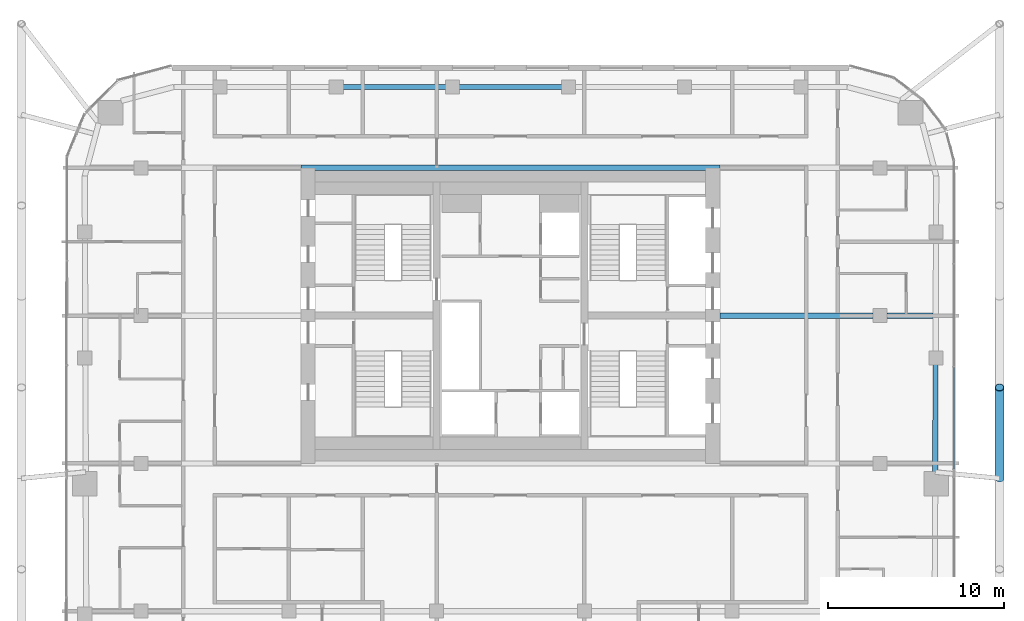
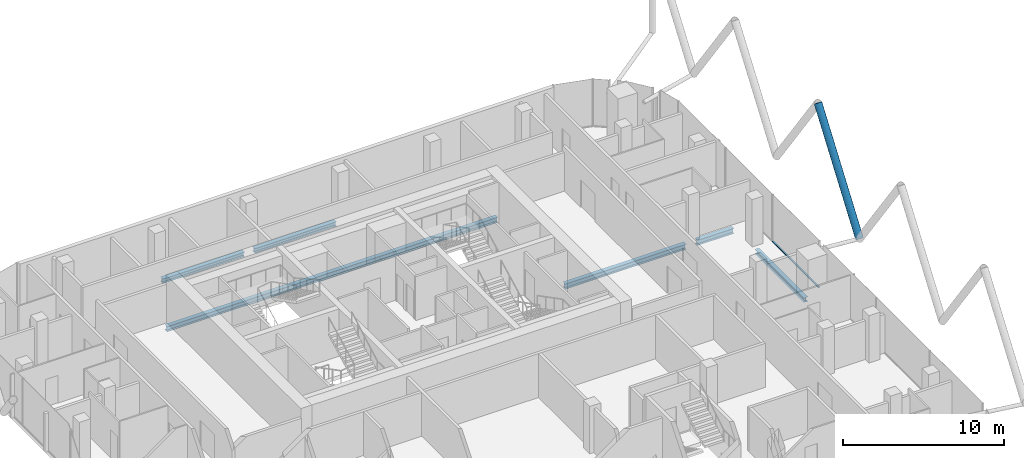
# One storey, part 9 of 31: 6 beams, 2 members, 1 element without a shape of its own.
"""IFC4 building model written with IfcOpenShell, lengths in metres."""

from ifc_helpers import new_model, si_unit, direction, frame, origin, origin_2d, place, context, subcontext, project, spatial, rectangle, hollow_circle, i_section, extrude, material, layer, layer_set, material_profile, profile_set, type_object, element, aggregate, save


model = new_model("IFC4")

# Units and contexts
model_context = context("Model", 3, precision=1e-05, world=origin(), true_north=direction((0.0, 1.0)))
body_context = subcontext(model_context, "Body", "Model", "MODEL_VIEW")
ifc_project = project(units=[si_unit("LENGTHUNIT", "METRE"), si_unit("AREAUNIT", "SQUARE_METRE"), si_unit("VOLUMEUNIT", "CUBIC_METRE"), si_unit("PLANEANGLEUNIT", "RADIAN"), si_unit("MASSUNIT", "GRAM", prefix="KILO")], contexts=[model_context])

# Site, building, storey
site_placement = place(None, origin())
site = spatial("IfcSite", under=ifc_project, at=site_placement, CompositionType="ELEMENT")
building_placement = place(site_placement, origin())
building = spatial("IfcBuilding", under=site, at=building_placement, Name="Marenta Gate Hotel Tower", CompositionType="ELEMENT")
storey_placement = place(building_placement, frame((0.0, 0.0, 205.699951171875)))
storey = spatial("IfcBuildingStorey", under=building, at=storey_placement, Name="L47", CompositionType="ELEMENT", Elevation=205.699951171875)

# Member
ifc_material_1 = material(Name="Steel S355J2W", Category="steel")
ifc_material_profile_1 = material_profile(ifc_material_1, hollow_circle(Radius=0.25390625, WallThickness=0.02490234375, at=origin_2d()), Name="CHS 508x25")
ifc_profile_set_1 = profile_set([ifc_material_profile_1], Name="Steel S355J2W")
member_type_1 = type_object("IfcMemberType", Name="Diagrid diagonal Z3 CHS 508x25", PredefinedType="BRACE", material=ifc_profile_set_1)
member_1_placement = place(storey_placement, frame((27.800048828125, -0.85009765625, 3.14013671875), z_axis=(0.0, 0.583260841117, 0.812284919975), x_axis=(-1.0, 0.0, 0.0)))
element("IfcMember", 1, at=member_1_placement, inside=storey, type_object=member_type_1, Name="L47-DG-5", PredefinedType="BRACE", context=body_context, shape_type="SweptSolid", body=[
    extrude(hollow_circle(Radius=0.25390625, WallThickness=0.02490234375, at=origin_2d()), origin(), (0.0, 0.0, 1.0), 8.86376953125),
])

# Beams
ifc_material_2 = material(Name="Steel S355", Category="steel")
ifc_material_profile_2 = material_profile(ifc_material_2, i_section(OverallWidth=0.300048828125, OverallDepth=0.340087890625, WebThickness=0.011962890625, FlangeThickness=0.021484375, FilletRadius=0.027099609375, at=origin_2d()), Name="HEB 340")
ifc_profile_set_2 = profile_set([ifc_material_profile_2], Name="Steel S355")
beam_type_1 = type_object("IfcBeamType", Name="Edge beam HEB 340", PredefinedType="SPANDREL", material=ifc_profile_set_2)
for number, where, z_axis, x_axis, name in (
    (2, (-9.544189453125, 21.39990234375, -0.429931640625), (1.0, 0.0, 0.0), (0.0, 1.0, 0.0), "L47-EB-15"),
    (3, (-2.94140625, 21.39990234375, -0.429931640625), (1.0, 0.0, 0.0), (0.0, 1.0, 0.0), "L47-EB-16"),
):
    element("IfcBeam", number, at=place(storey_placement, frame(where, z_axis=z_axis, x_axis=x_axis)), inside=storey, type_object=beam_type_1, Name=name, PredefinedType="SPANDREL", context=body_context, shape_type="SweptSolid", body=[
        extrude(i_section(OverallWidth=0.300048828125, OverallDepth=0.340087890625, WebThickness=0.011962890625, FlangeThickness=0.021484375, FilletRadius=0.027099609375, at=origin_2d()), origin(), (0.0, 0.0, 1.0), 5.8828125),
    ])
beam_1_placement = place(storey_placement, frame((24.164306640625, 5.643310546875, -0.429931640625), z_axis=(-0.003303859048, -0.999994542243, 0.0), x_axis=(0.999994542243, -0.003303859048, 0.0)))
element("IfcBeam", 4, at=beam_1_placement, inside=storey, type_object=beam_type_1, Name="L47-EB-24", PredefinedType="SPANDREL", context=body_context, shape_type="SweptSolid", body=[
    extrude(i_section(OverallWidth=0.300048828125, OverallDepth=0.340087890625, WebThickness=0.011962890625, FlangeThickness=0.021484375, FilletRadius=0.027099609375, at=origin_2d()), origin(), (0.0, 0.0, 1.0), 6.13330078125),
])
ifc_material_3 = material(Name="Steel S355", Category="steel")
ifc_material_profile_3 = material_profile(ifc_material_3, i_section(OverallWidth=0.300048828125, OverallDepth=0.39990234375, WebThickness=0.013427734375, FlangeThickness=0.02392578125, FilletRadius=0.027099609375, at=origin_2d()), Name="HEB 400")
ifc_profile_set_3 = profile_set([ifc_material_profile_3], Name="Steel S355")
beam_type_2 = type_object("IfcBeamType", Name="Girder HEB 400", PredefinedType="BEAM", material=ifc_profile_set_3)
beam_2_placement = place(storey_placement, frame((11.89990234375, 8.39990234375, -0.4599609375), z_axis=(1.0, 0.0, 0.0), x_axis=(0.0, 1.0, 0.0)))
element("IfcBeam", 5, at=beam_2_placement, inside=storey, type_object=beam_type_2, Name="L47-GD-27", PredefinedType="BEAM", context=body_context, shape_type="SweptSolid", body=[
    extrude(i_section(OverallWidth=0.300048828125, OverallDepth=0.39990234375, WebThickness=0.013427734375, FlangeThickness=0.02392578125, FilletRadius=0.027099609375, at=origin_2d()), origin(), (0.0, 0.0, 1.0), 8.7001953125),
])
beam_3_placement = place(storey_placement, frame((21.39990234375, 8.39990234375, -0.4599609375), z_axis=(1.0, 0.0, 0.0), x_axis=(0.0, 1.0, 0.0)))
element("IfcBeam", 6, at=beam_3_placement, inside=storey, type_object=beam_type_2, Name="L47-GD-28", PredefinedType="BEAM", context=body_context, shape_type="SweptSolid", body=[
    extrude(i_section(OverallWidth=0.300048828125, OverallDepth=0.39990234375, WebThickness=0.013427734375, FlangeThickness=0.02392578125, FilletRadius=0.027099609375, at=origin_2d()), origin(), (0.0, 0.0, 1.0), 2.623779296875),
])
beam_4_placement = place(storey_placement, frame((-11.89990234375, 16.800048828125, -0.4599609375), z_axis=(1.0, 0.0, 0.0), x_axis=(0.0, 1.0, 0.0)))
element("IfcBeam", 7, at=beam_4_placement, inside=storey, type_object=beam_type_2, Name="L47-GD-31", PredefinedType="BEAM", context=body_context, shape_type="SweptSolid", body=[
    extrude(i_section(OverallWidth=0.300048828125, OverallDepth=0.39990234375, WebThickness=0.013427734375, FlangeThickness=0.02392578125, FilletRadius=0.027099609375, at=origin_2d()), origin(), (0.0, 0.0, 1.0), 23.7998046875),
])

# Curtain wall, member
ifc_material_4 = material(Name="Tinted insulated glass in bronze anodised frame", Category="glass")
ifc_layer = layer(ifc_material_4, 0.1201171875)
ifc_layer_set = layer_set([ifc_layer], Name="Tinted insulated glass in bronze anodised frame")
curtain_wall_type = type_object("IfcCurtainWallType", Name="Tower unitised curtain wall CW1", PredefinedType="NOTDEFINED", material=ifc_layer_set)
curtain_wall_placement = place(storey_placement, origin())
curtain_wall = element("IfcCurtainWall", 8, at=curtain_wall_placement, inside=storey, type_object=curtain_wall_type, Name="CW1 run G34", PredefinedType="NOTDEFINED")
ifc_material_5 = material(Name="Bronze anodised aluminium", Category="aluminium")
ifc_material_profile_4 = material_profile(ifc_material_5, rectangle(XDim=0.1201171875, YDim=0.06005859375, at=origin_2d()), Name="Transom CW1 60x120 bronze anodised aluminium")
ifc_profile_set_4 = profile_set([ifc_material_profile_4], Name="Bronze anodised aluminium")
member_type_2 = type_object("IfcMemberType", Name="Transom CW1 60x120 bronze anodised aluminium", PredefinedType="USERDEFINED", material=ifc_profile_set_4)
member_2_placement = place(storey_placement, frame((25.214111328125, -0.307861328125, 0.030029296875), z_axis=(0.0, 1.0, 0.0), x_axis=(-1.0, 0.0, 0.0)))
member_2 = element("IfcMember", 9, at=member_2_placement, type_object=member_type_2, Name="CW1 transom 1.1", ObjectType="TRANSOM", PredefinedType="USERDEFINED", context=body_context, shape_type="SweptSolid", body=[
    extrude(rectangle(XDim=0.1201171875, YDim=0.06005859375, at=origin_2d()), origin(), (0.0, 0.0, 1.0), 5.76318359375),
])
aggregate(curtain_wall, [member_2])

save(model, "model.ifc")
